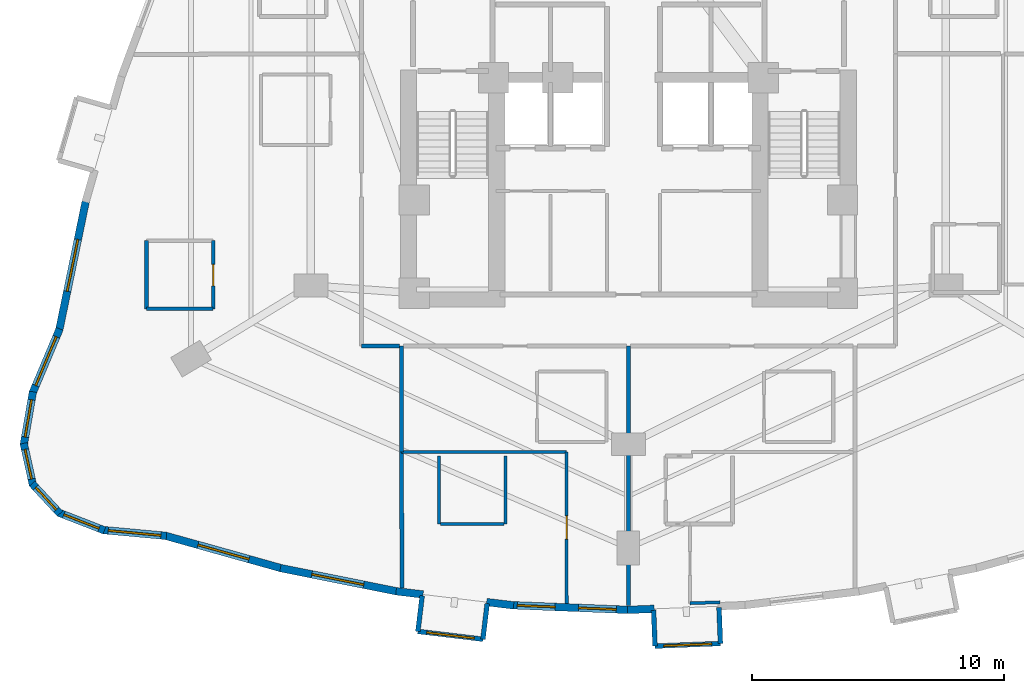
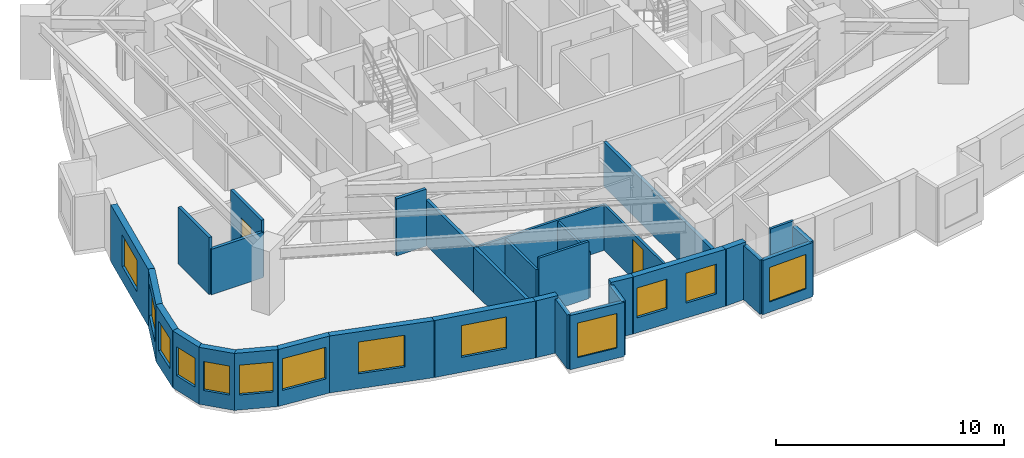
# One storey, part 6 of 13: 32 walls, 13 windows, 2 doors, 15 openings.
"""IFC4 building model written with IfcOpenShell, lengths in metres."""

from ifc_helpers import new_model, si_unit, direction, frame, frame_2d, origin, place, context, subcontext, project, spatial, rectangle, extrude, material, layer, layer_set, type_object, element, fill, save


model = new_model("IFC4")

# Units and contexts
model_context = context("Model", 3, precision=1e-05, world=origin(), true_north=direction((0.0, 1.0)))
body_context = subcontext(model_context, "Body", "Model", "MODEL_VIEW")
ifc_project = project(units=[si_unit("LENGTHUNIT", "METRE"), si_unit("AREAUNIT", "SQUARE_METRE"), si_unit("VOLUMEUNIT", "CUBIC_METRE"), si_unit("PLANEANGLEUNIT", "RADIAN"), si_unit("MASSUNIT", "GRAM", prefix="KILO")], contexts=[model_context])

# Site, building, storey
site_placement = place(None, origin())
site = spatial("IfcSite", under=ifc_project, at=site_placement, CompositionType="ELEMENT")
building_placement = place(site_placement, origin())
building = spatial("IfcBuilding", under=site, at=building_placement, Name="Miruveldt Soraemaru", CompositionType="ELEMENT")
storey_placement = place(building_placement, frame((0.0, 0.0, 87.0)))
storey = spatial("IfcBuildingStorey", under=building, at=storey_placement, Name="L24", CompositionType="ELEMENT", Elevation=87.0)

# Walls
ifc_material_1 = material(Name="White powder-coated aluminium EN AW-6060 T6", Category="aluminium")
ifc_layer_1 = layer(ifc_material_1, 0.18994140625, Name="White powder-coated aluminium EN AW-6060 T6", Category="aluminium")
ifc_layer_set_1 = layer_set([ifc_layer_1], Name="White powder-coated aluminium EN AW-6060 T6")
wall_type_1 = type_object("IfcWallType", Name="WALL-BAY-ALU190", PredefinedType="SOLIDWALL", material=ifc_layer_set_1)
wall_1_placement = place(storey_placement, frame((35.8154296875, 23.488525390625, 0.0), z_axis=(0.0, 0.0, 1.0), x_axis=(-0.119057405757, -0.992887372331, 0.0)))
element("IfcWall", 1, at=wall_1_placement, inside=storey, type_object=wall_type_1, Name="L24 Bay Window Side Cheek 2L", PredefinedType="SOLIDWALL", context=body_context, shape_type="SweptSolid", body=[
    extrude(rectangle(XDim=1.42529296875, YDim=0.18994140625, at=frame_2d((0.712646484375, 0.0))), origin(), (0.0, 0.0, 1.0), 2.89990234375),
])
wall_2_placement = place(storey_placement, frame((38.22705078125, 21.763916015625, 0.0), z_axis=(0.0, 0.0, 1.0), x_axis=(0.119077659317, 0.992884943511, 0.0)))
element("IfcWall", 2, at=wall_2_placement, inside=storey, type_object=wall_type_1, Name="L24 Bay Window Side Cheek 2R", PredefinedType="SOLIDWALL", context=body_context, shape_type="SweptSolid", body=[
    extrude(rectangle(XDim=1.425048828125, YDim=0.18994140625, at=frame_2d((0.71240234375, 0.0))), origin(), (0.0, 0.0, 1.0), 2.89990234375),
])

# Wall, opening, window
wall_3_placement = place(storey_placement, frame((35.645751953125, 22.073486328125, 0.0), z_axis=(0.0, 0.0, 1.0), x_axis=(0.992885278793, -0.119074863663, 0.0)))
wall_3 = element("IfcWall", 3, at=wall_3_placement, inside=storey, type_object=wall_type_1, Name="L24 Bay Window Front Frame 2", PredefinedType="SOLIDWALL", context=body_context, shape_type="SweptSolid", body=[
    extrude(rectangle(XDim=2.599853515625, YDim=0.18994140625, at=frame_2d((1.2998046875, 0.0))), origin(), (0.0, 0.0, 1.0), 2.89990234375),
])
opening_1_placement = place(wall_3_placement, frame((0.35009765625, 0.0, 0.550048828125)))
opening_1 = element("IfcOpeningElement", 4, at=opening_1_placement, cuts=wall_3, Name="Opening WN-6", PredefinedType="OPENING", context=body_context, shape_type="SweptSolid", body=[
    extrude(rectangle(XDim=1.89990234375, YDim=1.85009765625, at=frame_2d((0.949951171875, 0.925048828125))), frame((0.0, 0.10498046875, 0.0), z_axis=(0.0, -1.0, 0.0), x_axis=(1.0, 0.0, 0.0)), (0.0, 0.0, 1.0), 0.2099609375),
])
ifc_material_2 = material(Name="Triple low-e insulated glazing", Category="glass")
window_type_1 = type_object("IfcWindowType", Name="WIN-BAYW-1900x1850", PartitioningType="SINGLE_PANEL", PredefinedType="WINDOW", material=ifc_material_2)
window_1_placement = place(opening_1_placement, origin())
window_1 = element("IfcWindow", 5, at=window_1_placement, inside=storey, type_object=window_type_1, Name="L24 Projecting Bay Window 2", OverallHeight=1.85009765625, OverallWidth=1.89990234375, PartitioningType="SINGLE_PANEL", PredefinedType="WINDOW", context=body_context, shape_type="SweptSolid", body=[
    extrude(rectangle(XDim=1.89990234375, YDim=1.85009765625, at=frame_2d((0.949951171875, 0.925048828125))), frame((0.0, 0.030029296875, 0.0), z_axis=(0.0, -1.0, 0.0), x_axis=(1.0, 0.0, 0.0)), (0.0, 0.0, 1.0), 0.06005859375),
])
fill(opening_1, window_1)

# Walls
for number, where, z_axis, x_axis, name in (
    (6, (44.9990234375, 22.913818359375, 0.0), (0.0, 0.0, 1.0), (0.039920142234, -0.999202873417, 0.0), "L24 Bay Window Side Cheek 3L"),
    (7, (47.65380859375, 21.593994140625, 0.0), (0.0, 0.0, 1.0), (-0.039920142234, 0.999202873417, 0.0), "L24 Bay Window Side Cheek 3R"),
):
    element("IfcWall", number, at=place(storey_placement, frame(where, z_axis=z_axis, x_axis=x_axis)), inside=storey, type_object=wall_type_1, Name=name, PredefinedType="SOLIDWALL", context=body_context, shape_type="SweptSolid", body=[
        extrude(rectangle(XDim=1.425048828125, YDim=0.18994140625, at=frame_2d((0.71240234375, 0.0))), origin(), (0.0, 0.0, 1.0), 2.89990234375),
    ])

# Wall, opening, window
wall_4_placement = place(storey_placement, frame((45.055908203125, 21.489990234375, 0.0), z_axis=(0.0, 0.0, 1.0), x_axis=(0.999199608139, 0.040001788654, 0.0)))
wall_4 = element("IfcWall", 8, at=wall_4_placement, inside=storey, type_object=wall_type_1, Name="L24 Bay Window Front Frame 3", PredefinedType="SOLIDWALL", context=body_context, shape_type="SweptSolid", body=[
    extrude(rectangle(XDim=2.60009765625, YDim=0.18994140625, at=frame_2d((1.300048828125, 0.0))), origin(), (0.0, 0.0, 1.0), 2.89990234375),
])
opening_2_placement = place(wall_4_placement, frame((0.35009765625, 0.0, 0.550048828125)))
opening_2 = element("IfcOpeningElement", 9, at=opening_2_placement, cuts=wall_4, Name="Opening WN-6", PredefinedType="OPENING", context=body_context, shape_type="SweptSolid", body=[
    extrude(rectangle(XDim=1.89990234375, YDim=1.85009765625, at=frame_2d((0.949951171875, 0.925048828125))), frame((0.0, 0.10498046875, 0.0), z_axis=(0.0, -1.0, 0.0), x_axis=(1.0, 0.0, 0.0)), (0.0, 0.0, 1.0), 0.2099609375),
])
window_2_placement = place(opening_2_placement, origin())
window_2 = element("IfcWindow", 10, at=window_2_placement, inside=storey, type_object=window_type_1, Name="L24 Projecting Bay Window 3", OverallHeight=1.85009765625, OverallWidth=1.89990234375, PartitioningType="SINGLE_PANEL", PredefinedType="WINDOW", context=body_context, shape_type="SweptSolid", body=[
    extrude(rectangle(XDim=1.89990234375, YDim=1.85009765625, at=frame_2d((0.949951171875, 0.925048828125))), frame((0.0, 0.030029296875, 0.0), z_axis=(0.0, -1.0, 0.0), x_axis=(1.0, 0.0, 0.0)), (0.0, 0.0, 1.0), 0.06005859375),
])
fill(opening_2, window_2)

ifc_material_3 = material(Name="Precast concrete C45/55 (45 MPa)", Category="concrete")
ifc_layer_2 = layer(ifc_material_3, 0.300048828125, Name="Precast concrete C45/55 (45 MPa)", Category="concrete")
ifc_layer_set_2 = layer_set([ifc_layer_2], Name="Precast concrete C45/55 (45 MPa)")
wall_type_2 = type_object("IfcWallType", Name="WALL-EXT-PC300", PredefinedType="SOLIDWALL", material=ifc_layer_set_2)
wall_5_placement = place(storey_placement, frame((22.470703125, 39.1826171875, 0.0), z_axis=(0.0, 0.0, 1.0), x_axis=(-0.201579766052, -0.979472101654, 0.0)))
wall_5 = element("IfcWall", 11, at=wall_5_placement, inside=storey, type_object=wall_type_2, Name="L24 Precast Concrete Facade Wall 14", PredefinedType="SOLIDWALL", context=body_context, shape_type="SweptSolid", body=[
    extrude(rectangle(XDim=5.273193359375, YDim=0.300048828125, at=frame_2d((2.63671875, 0.0))), origin(), (0.0, 0.0, 1.0), 3.050048828125),
])
opening_3_placement = place(wall_5_placement, frame((1.5859375, 0.0, 0.800048828125)))
opening_3 = element("IfcOpeningElement", 12, at=opening_3_placement, cuts=wall_5, Name="Opening WN-1", PredefinedType="OPENING", context=body_context, shape_type="SweptSolid", body=[
    extrude(rectangle(XDim=2.10009765625, YDim=1.699951171875, at=frame_2d((1.050048828125, 0.85009765625))), frame((0.0, 0.16015625, 0.0), z_axis=(0.0, -1.0, 0.0), x_axis=(1.0, 0.0, 0.0)), (0.0, 0.0, 1.0), 0.320068359375),
])
window_type_2 = type_object("IfcWindowType", Name="WIN-PUNCH-2100x1700", PartitioningType="SINGLE_PANEL", PredefinedType="WINDOW", material=ifc_material_2)
window_3_placement = place(opening_3_placement, origin())
window_3 = element("IfcWindow", 13, at=window_3_placement, inside=storey, type_object=window_type_2, Name="L24 Punched Triple-Glazed Window 14.1", OverallHeight=1.699951171875, OverallWidth=2.10009765625, PartitioningType="SINGLE_PANEL", PredefinedType="WINDOW", context=body_context, shape_type="SweptSolid", body=[
    extrude(rectangle(XDim=2.10009765625, YDim=1.699951171875, at=frame_2d((1.050048828125, 0.85009765625))), frame((0.0, 0.030029296875, 0.0), z_axis=(0.0, -1.0, 0.0), x_axis=(1.0, 0.0, 0.0)), (0.0, 0.0, 1.0), 0.06005859375),
])
fill(opening_3, window_3)

wall_6_placement = place(storey_placement, frame((21.428466796875, 34.084228515625, 0.0), z_axis=(0.0, 0.0, 1.0), x_axis=(-0.388652814746, -0.921384279001, 0.0)))
wall_6 = element("IfcWall", 14, at=wall_6_placement, inside=storey, type_object=wall_type_2, Name="L24 Precast Concrete Facade Wall 15", PredefinedType="SOLIDWALL", context=body_context, shape_type="SweptSolid", body=[
    extrude(rectangle(XDim=2.783935546875, YDim=0.300048828125, at=frame_2d((1.39208984375, 0.0))), origin(), (0.0, 0.0, 1.0), 3.050048828125),
])
opening_4_placement = place(wall_6_placement, frame((0.342041015625, 0.0, 0.800048828125)))
opening_4 = element("IfcOpeningElement", 15, at=opening_4_placement, cuts=wall_6, Name="Opening WN-1", PredefinedType="OPENING", context=body_context, shape_type="SweptSolid", body=[
    extrude(rectangle(XDim=2.10009765625, YDim=1.699951171875, at=frame_2d((1.050048828125, 0.85009765625))), frame((0.0, 0.16015625, 0.0), z_axis=(0.0, -1.0, 0.0), x_axis=(1.0, 0.0, 0.0)), (0.0, 0.0, 1.0), 0.320068359375),
])
window_4_placement = place(opening_4_placement, origin())
window_4 = element("IfcWindow", 16, at=window_4_placement, inside=storey, type_object=window_type_2, Name="L24 Punched Triple-Glazed Window 15.1", OverallHeight=1.699951171875, OverallWidth=2.10009765625, PartitioningType="SINGLE_PANEL", PredefinedType="WINDOW", context=body_context, shape_type="SweptSolid", body=[
    extrude(rectangle(XDim=2.10009765625, YDim=1.699951171875, at=frame_2d((1.050048828125, 0.85009765625))), frame((0.0, 0.030029296875, 0.0), z_axis=(0.0, -1.0, 0.0), x_axis=(1.0, 0.0, 0.0)), (0.0, 0.0, 1.0), 0.06005859375),
])
fill(opening_4, window_4)

wall_7_placement = place(storey_placement, frame((20.365966796875, 31.585693359375, 0.0), z_axis=(0.0, 0.0, 1.0), x_axis=(-0.169285891433, -0.985566987557, 0.0)))
wall_7 = element("IfcWall", 17, at=wall_7_placement, inside=storey, type_object=wall_type_2, Name="L24 Precast Concrete Facade Wall 16", PredefinedType="SOLIDWALL", context=body_context, shape_type="SweptSolid", body=[
    extrude(rectangle(XDim=2.14599609375, YDim=0.300048828125, at=frame_2d((1.072998046875, 0.0))), origin(), (0.0, 0.0, 1.0), 3.050048828125),
])
opening_5_placement = place(wall_7_placement, frame((0.322998046875, 0.0, 0.800048828125)))
opening_5 = element("IfcOpeningElement", 18, at=opening_5_placement, cuts=wall_7, Name="Opening WN-3", PredefinedType="OPENING", context=body_context, shape_type="SweptSolid", body=[
    extrude(rectangle(XDim=1.5, YDim=1.60009765625, at=frame_2d((0.75, 0.800048828125))), frame((0.0, 0.16015625, 0.0), z_axis=(0.0, -1.0, 0.0), x_axis=(1.0, 0.0, 0.0)), (0.0, 0.0, 1.0), 0.320068359375),
])
window_type_3 = type_object("IfcWindowType", Name="WIN-PUNCH-1500x1600", PartitioningType="SINGLE_PANEL", PredefinedType="WINDOW", material=ifc_material_2)
window_5_placement = place(opening_5_placement, origin())
window_5 = element("IfcWindow", 19, at=window_5_placement, inside=storey, type_object=window_type_3, Name="L24 Punched Triple-Glazed Window 16.1", OverallHeight=1.60009765625, OverallWidth=1.5, PartitioningType="SINGLE_PANEL", PredefinedType="WINDOW", context=body_context, shape_type="SweptSolid", body=[
    extrude(rectangle(XDim=1.5, YDim=1.60009765625, at=frame_2d((0.75, 0.800048828125))), frame((0.0, 0.030029296875, 0.0), z_axis=(0.0, -1.0, 0.0), x_axis=(1.0, 0.0, 0.0)), (0.0, 0.0, 1.0), 0.06005859375),
])
fill(opening_5, window_5)

wall_8_placement = place(storey_placement, frame((20.001220703125, 29.539306640625, 0.0), z_axis=(0.0, 0.0, 1.0), x_axis=(0.215576821928, -0.976486883602, 0.0)))
wall_8 = element("IfcWall", 20, at=wall_8_placement, inside=storey, type_object=wall_type_2, Name="L24 Precast Concrete Facade Wall 17", PredefinedType="SOLIDWALL", context=body_context, shape_type="SweptSolid", body=[
    extrude(rectangle(XDim=1.699951171875, YDim=0.300048828125, at=frame_2d((0.85009765625, 0.0))), origin(), (0.0, 0.0, 1.0), 3.050048828125),
])
opening_6_placement = place(wall_8_placement, frame((0.25, 0.0, 0.780029296875)))
opening_6 = element("IfcOpeningElement", 21, at=opening_6_placement, cuts=wall_8, Name="Opening WN-4", PredefinedType="OPENING", context=body_context, shape_type="SweptSolid", body=[
    extrude(rectangle(XDim=1.199951171875, YDim=1.550048828125, at=frame_2d((0.60009765625, 0.77490234375))), frame((0.0, 0.16015625, 0.0), z_axis=(0.0, -1.0, 0.0), x_axis=(1.0, 0.0, 0.0)), (0.0, 0.0, 1.0), 0.320068359375),
])
window_type_4 = type_object("IfcWindowType", Name="WIN-PUNCH-1200x1550", PartitioningType="SINGLE_PANEL", PredefinedType="WINDOW", material=ifc_material_2)
window_6_placement = place(opening_6_placement, origin())
window_6 = element("IfcWindow", 22, at=window_6_placement, inside=storey, type_object=window_type_4, Name="L24 Punched Triple-Glazed Window 17.1", OverallHeight=1.550048828125, OverallWidth=1.199951171875, PartitioningType="SINGLE_PANEL", PredefinedType="WINDOW", context=body_context, shape_type="SweptSolid", body=[
    extrude(rectangle(XDim=1.199951171875, YDim=1.550048828125, at=frame_2d((0.60009765625, 0.77490234375))), frame((0.0, 0.030029296875, 0.0), z_axis=(0.0, -1.0, 0.0), x_axis=(1.0, 0.0, 0.0)), (0.0, 0.0, 1.0), 0.06005859375),
])
fill(opening_6, window_6)

wall_9_placement = place(storey_placement, frame((20.336181640625, 27.939453125, 0.0), z_axis=(0.0, 0.0, 1.0), x_axis=(0.680179532138, -0.733045567519, 0.0)))
wall_9 = element("IfcWall", 23, at=wall_9_placement, inside=storey, type_object=wall_type_2, Name="L24 Precast Concrete Facade Wall 18", PredefinedType="SOLIDWALL", context=body_context, shape_type="SweptSolid", body=[
    extrude(rectangle(XDim=1.620849609375, YDim=0.300048828125, at=frame_2d((0.810546875, 0.0))), origin(), (0.0, 0.0, 1.0), 3.050048828125),
])
opening_7_placement = place(wall_9_placement, frame((0.2109375, 0.0, 0.780029296875)))
opening_7 = element("IfcOpeningElement", 24, at=opening_7_placement, cuts=wall_9, Name="Opening WN-4", PredefinedType="OPENING", context=body_context, shape_type="SweptSolid", body=[
    extrude(rectangle(XDim=1.199951171875, YDim=1.550048828125, at=frame_2d((0.60009765625, 0.77490234375))), frame((0.0, 0.16015625, 0.0), z_axis=(0.0, -1.0, 0.0), x_axis=(1.0, 0.0, 0.0)), (0.0, 0.0, 1.0), 0.320068359375),
])
window_7_placement = place(opening_7_placement, origin())
window_7 = element("IfcWindow", 25, at=window_7_placement, inside=storey, type_object=window_type_4, Name="L24 Punched Triple-Glazed Window 18.1", OverallHeight=1.550048828125, OverallWidth=1.199951171875, PartitioningType="SINGLE_PANEL", PredefinedType="WINDOW", context=body_context, shape_type="SweptSolid", body=[
    extrude(rectangle(XDim=1.199951171875, YDim=1.550048828125, at=frame_2d((0.60009765625, 0.77490234375))), frame((0.0, 0.030029296875, 0.0), z_axis=(0.0, -1.0, 0.0), x_axis=(1.0, 0.0, 0.0)), (0.0, 0.0, 1.0), 0.06005859375),
])
fill(opening_7, window_7)

wall_10_placement = place(storey_placement, frame((21.38232421875, 26.789794921875, 0.0), z_axis=(0.0, 0.0, 1.0), x_axis=(0.932250473757, -0.361813562736, 0.0)))
wall_10 = element("IfcWall", 26, at=wall_10_placement, inside=storey, type_object=wall_type_2, Name="L24 Precast Concrete Facade Wall 19", PredefinedType="SOLIDWALL", context=body_context, shape_type="SweptSolid", body=[
    extrude(rectangle(XDim=1.95556640625, YDim=0.300048828125, at=frame_2d((0.977783203125, 0.0))), origin(), (0.0, 0.0, 1.0), 3.050048828125),
])
opening_8_placement = place(wall_10_placement, frame((0.22802734375, 0.0, 0.800048828125)))
opening_8 = element("IfcOpeningElement", 27, at=opening_8_placement, cuts=wall_10, Name="Opening WN-3", PredefinedType="OPENING", context=body_context, shape_type="SweptSolid", body=[
    extrude(rectangle(XDim=1.5, YDim=1.60009765625, at=frame_2d((0.75, 0.800048828125))), frame((0.0, 0.16015625, 0.0), z_axis=(0.0, -1.0, 0.0), x_axis=(1.0, 0.0, 0.0)), (0.0, 0.0, 1.0), 0.320068359375),
])
window_8_placement = place(opening_8_placement, origin())
window_8 = element("IfcWindow", 28, at=window_8_placement, inside=storey, type_object=window_type_3, Name="L24 Punched Triple-Glazed Window 19.1", OverallHeight=1.60009765625, OverallWidth=1.5, PartitioningType="SINGLE_PANEL", PredefinedType="WINDOW", context=body_context, shape_type="SweptSolid", body=[
    extrude(rectangle(XDim=1.5, YDim=1.60009765625, at=frame_2d((0.75, 0.800048828125))), frame((0.0, 0.030029296875, 0.0), z_axis=(0.0, -1.0, 0.0), x_axis=(1.0, 0.0, 0.0)), (0.0, 0.0, 1.0), 0.06005859375),
])
fill(opening_8, window_8)

wall_11_placement = place(storey_placement, frame((23.137939453125, 26.09814453125, 0.0), z_axis=(0.0, 0.0, 1.0), x_axis=(0.995765461545, -0.091930112551, 0.0)))
wall_11 = element("IfcWall", 29, at=wall_11_placement, inside=storey, type_object=wall_type_2, Name="L24 Precast Concrete Facade Wall 20", PredefinedType="SOLIDWALL", context=body_context, shape_type="SweptSolid", body=[
    extrude(rectangle(XDim=2.54150390625, YDim=0.300048828125, at=frame_2d((1.270751953125, 0.0))), origin(), (0.0, 0.0, 1.0), 3.050048828125),
])
opening_9_placement = place(wall_11_placement, frame((0.220947265625, 0.0, 0.800048828125)))
opening_9 = element("IfcOpeningElement", 30, at=opening_9_placement, cuts=wall_11, Name="Opening WN-1", PredefinedType="OPENING", context=body_context, shape_type="SweptSolid", body=[
    extrude(rectangle(XDim=2.10009765625, YDim=1.699951171875, at=frame_2d((1.050048828125, 0.85009765625))), frame((0.0, 0.16015625, 0.0), z_axis=(0.0, -1.0, 0.0), x_axis=(1.0, 0.0, 0.0)), (0.0, 0.0, 1.0), 0.320068359375),
])
window_9_placement = place(opening_9_placement, origin())
window_9 = element("IfcWindow", 31, at=window_9_placement, inside=storey, type_object=window_type_2, Name="L24 Punched Triple-Glazed Window 20.1", OverallHeight=1.699951171875, OverallWidth=2.10009765625, PartitioningType="SINGLE_PANEL", PredefinedType="WINDOW", context=body_context, shape_type="SweptSolid", body=[
    extrude(rectangle(XDim=2.10009765625, YDim=1.699951171875, at=frame_2d((1.050048828125, 0.85009765625))), frame((0.0, 0.030029296875, 0.0), z_axis=(0.0, -1.0, 0.0), x_axis=(1.0, 0.0, 0.0)), (0.0, 0.0, 1.0), 0.06005859375),
])
fill(opening_9, window_9)

wall_12_placement = place(storey_placement, frame((25.60009765625, 25.876953125, 0.0), z_axis=(0.0, 0.0, 1.0), x_axis=(0.962967164168, -0.269618695077, 0.0)))
wall_12 = element("IfcWall", 32, at=wall_12_placement, inside=storey, type_object=wall_type_2, Name="L24 Precast Concrete Facade Wall 21", PredefinedType="SOLIDWALL", context=body_context, shape_type="SweptSolid", body=[
    extrude(rectangle(XDim=4.838134765625, YDim=0.300048828125, at=frame_2d((2.4189453125, 0.0))), origin(), (0.0, 0.0, 1.0), 3.050048828125),
])
opening_10_placement = place(wall_12_placement, frame((1.368896484375, 0.0, 0.800048828125)))
opening_10 = element("IfcOpeningElement", 33, at=opening_10_placement, cuts=wall_12, Name="Opening WN-1", PredefinedType="OPENING", context=body_context, shape_type="SweptSolid", body=[
    extrude(rectangle(XDim=2.10009765625, YDim=1.699951171875, at=frame_2d((1.050048828125, 0.85009765625))), frame((0.0, 0.16015625, 0.0), z_axis=(0.0, -1.0, 0.0), x_axis=(1.0, 0.0, 0.0)), (0.0, 0.0, 1.0), 0.320068359375),
])
window_10_placement = place(opening_10_placement, origin())
window_10 = element("IfcWindow", 34, at=window_10_placement, inside=storey, type_object=window_type_2, Name="L24 Punched Triple-Glazed Window 21.1", OverallHeight=1.699951171875, OverallWidth=2.10009765625, PartitioningType="SINGLE_PANEL", PredefinedType="WINDOW", context=body_context, shape_type="SweptSolid", body=[
    extrude(rectangle(XDim=2.10009765625, YDim=1.699951171875, at=frame_2d((1.050048828125, 0.85009765625))), frame((0.0, 0.030029296875, 0.0), z_axis=(0.0, -1.0, 0.0), x_axis=(1.0, 0.0, 0.0)), (0.0, 0.0, 1.0), 0.06005859375),
])
fill(opening_10, window_10)

wall_13_placement = place(storey_placement, frame((30.191162109375, 24.5888671875, 0.0), z_axis=(0.0, 0.0, 1.0), x_axis=(0.980576723848, -0.196135893318, 0.0)))
wall_13 = element("IfcWall", 35, at=wall_13_placement, inside=storey, type_object=wall_type_2, Name="L24 Precast Concrete Facade Wall 22", PredefinedType="SOLIDWALL", context=body_context, shape_type="SweptSolid", body=[
    extrude(rectangle(XDim=4.75244140625, YDim=0.300048828125, at=frame_2d((2.376220703125, 0.0))), origin(), (0.0, 0.0, 1.0), 3.050048828125),
])
opening_11_placement = place(wall_13_placement, frame((1.26904296875, 0.0, 0.800048828125)))
opening_11 = element("IfcOpeningElement", 36, at=opening_11_placement, cuts=wall_13, Name="Opening WN-1", PredefinedType="OPENING", context=body_context, shape_type="SweptSolid", body=[
    extrude(rectangle(XDim=2.10009765625, YDim=1.699951171875, at=frame_2d((1.050048828125, 0.85009765625))), frame((0.0, 0.16015625, 0.0), z_axis=(0.0, -1.0, 0.0), x_axis=(1.0, 0.0, 0.0)), (0.0, 0.0, 1.0), 0.320068359375),
])
window_11_placement = place(opening_11_placement, origin())
window_11 = element("IfcWindow", 37, at=window_11_placement, inside=storey, type_object=window_type_2, Name="L24 Punched Triple-Glazed Window 22.1", OverallHeight=1.699951171875, OverallWidth=2.10009765625, PartitioningType="SINGLE_PANEL", PredefinedType="WINDOW", context=body_context, shape_type="SweptSolid", body=[
    extrude(rectangle(XDim=2.10009765625, YDim=1.699951171875, at=frame_2d((1.050048828125, 0.85009765625))), frame((0.0, 0.030029296875, 0.0), z_axis=(0.0, -1.0, 0.0), x_axis=(1.0, 0.0, 0.0)), (0.0, 0.0, 1.0), 0.06005859375),
])
fill(opening_11, window_11)

# Walls
for number, where, z_axis, x_axis, name in (
    (38, (34.781982421875, 23.66796875, 0.0), (0.0, 0.0, 1.0), (0.992872549268, -0.119180958675, 0.0), "L24 Precast Pier Wall 23A"),
    (39, (38.37353515625, 23.23681640625, 0.0), (0.0, 0.0, 1.0), (0.992872549268, -0.119180958675, 0.0), "L24 Precast Pier Wall 23B"),
):
    element("IfcWall", number, at=place(storey_placement, frame(where, z_axis=z_axis, x_axis=x_axis)), inside=storey, type_object=wall_type_2, Name=name, PredefinedType="SOLIDWALL", context=body_context, shape_type="SweptSolid", body=[
        extrude(rectangle(XDim=1.077392578125, YDim=0.300048828125, at=frame_2d((0.53857421875, 0.0))), origin(), (0.0, 0.0, 1.0), 3.050048828125),
    ])

# Wall, openings, windows
wall_14_placement = place(storey_placement, frame((39.37353515625, 23.114013671875, 0.0), z_axis=(0.0, 0.0, 1.0), x_axis=(0.999200373418, -0.039982668271, 0.0)))
wall_14 = element("IfcWall", 40, at=wall_14_placement, inside=storey, type_object=wall_type_2, Name="L24 Precast Concrete Facade Wall 24", PredefinedType="SOLIDWALL", context=body_context, shape_type="SweptSolid", body=[
    extrude(rectangle(XDim=4.6650390625, YDim=0.300048828125, at=frame_2d((2.33251953125, 0.0))), origin(), (0.0, 0.0, 1.0), 3.050048828125),
])
opening_12_placement = place(wall_14_placement, frame((0.217041015625, 0.0, 0.800048828125)))
opening_12 = element("IfcOpeningElement", 41, at=opening_12_placement, cuts=wall_14, Name="Opening WN-3", PredefinedType="OPENING", context=body_context, shape_type="SweptSolid", body=[
    extrude(rectangle(XDim=1.5, YDim=1.60009765625, at=frame_2d((0.75, 0.800048828125))), frame((0.0, 0.16015625, 0.0), z_axis=(0.0, -1.0, 0.0), x_axis=(1.0, 0.0, 0.0)), (0.0, 0.0, 1.0), 0.320068359375),
])
opening_13_placement = place(wall_14_placement, frame((2.64892578125, 0.0, 0.800048828125)))
opening_13 = element("IfcOpeningElement", 42, at=opening_13_placement, cuts=wall_14, Name="Opening WN-3", PredefinedType="OPENING", context=body_context, shape_type="SweptSolid", body=[
    extrude(rectangle(XDim=1.5, YDim=1.60009765625, at=frame_2d((0.75, 0.800048828125))), frame((0.0, 0.16015625, 0.0), z_axis=(0.0, -1.0, 0.0), x_axis=(1.0, 0.0, 0.0)), (0.0, 0.0, 1.0), 0.320068359375),
])
window_12_placement = place(opening_12_placement, origin())
window_12 = element("IfcWindow", 43, at=window_12_placement, inside=storey, type_object=window_type_3, Name="L24 Punched Triple-Glazed Window 24.1", OverallHeight=1.60009765625, OverallWidth=1.5, PartitioningType="SINGLE_PANEL", PredefinedType="WINDOW", context=body_context, shape_type="SweptSolid", body=[
    extrude(rectangle(XDim=1.5, YDim=1.60009765625, at=frame_2d((0.75, 0.800048828125))), frame((0.0, 0.030029296875, 0.0), z_axis=(0.0, -1.0, 0.0), x_axis=(1.0, 0.0, 0.0)), (0.0, 0.0, 1.0), 0.06005859375),
])
fill(opening_12, window_12)
window_13_placement = place(opening_13_placement, origin())
window_13 = element("IfcWindow", 44, at=window_13_placement, inside=storey, type_object=window_type_3, Name="L24 Punched Triple-Glazed Window 24.2", OverallHeight=1.60009765625, OverallWidth=1.5, PartitioningType="SINGLE_PANEL", PredefinedType="WINDOW", context=body_context, shape_type="SweptSolid", body=[
    extrude(rectangle(XDim=1.5, YDim=1.60009765625, at=frame_2d((0.75, 0.800048828125))), frame((0.0, 0.030029296875, 0.0), z_axis=(0.0, -1.0, 0.0), x_axis=(1.0, 0.0, 0.0)), (0.0, 0.0, 1.0), 0.06005859375),
])
fill(opening_13, window_13)

# Wall
wall_15_placement = place(storey_placement, frame((43.965087890625, 22.927490234375, 0.0), z_axis=(0.0, 0.0, 1.0), x_axis=(0.999191387829, 0.040206597579, 0.0)))
element("IfcWall", 45, at=wall_15_placement, inside=storey, type_object=wall_type_2, Name="L24 Precast Pier Wall 25A", PredefinedType="SOLIDWALL", context=body_context, shape_type="SweptSolid", body=[
    extrude(rectangle(XDim=1.062744140625, YDim=0.300048828125, at=frame_2d((0.53125, 0.0))), origin(), (0.0, 0.0, 1.0), 3.050048828125),
])

# Wall, opening, door
ifc_material_4 = material(Name="Gypsum plasterboard lining", Category="gypsum")
ifc_layer_3 = layer(ifc_material_4, 0.1201171875, Name="Gypsum plasterboard lining", Category="gypsum")
ifc_layer_set_3 = layer_set([ifc_layer_3], Name="Gypsum plasterboard lining")
wall_type_3 = type_object("IfcWallType", Name="WALL-INT-P120", PredefinedType="PARTITIONING", material=ifc_layer_set_3)
wall_16_placement = place(storey_placement, frame((41.550048828125, 29.199951171875, 0.0), z_axis=(0.0, 0.0, 1.0), x_axis=(0.00048762642, -0.99999988111, 0.0)))
wall_16 = element("IfcWall", 46, at=wall_16_placement, inside=storey, type_object=wall_type_3, Name="L24 Partition Wall 77", PredefinedType="PARTITIONING", context=body_context, shape_type="SweptSolid", body=[
    extrude(rectangle(XDim=6.008056640625, YDim=0.1201171875, at=frame_2d((3.00390625, 0.0))), origin(), (0.0, 0.0, 1.0), 2.43798828125),
])
opening_14_placement = place(wall_16_placement, frame((2.5439453125, 0.0, 0.0)))
opening_14 = element("IfcOpeningElement", 47, at=opening_14_placement, cuts=wall_16, Name="Opening D3A", PredefinedType="OPENING", context=body_context, shape_type="SweptSolid", body=[
    extrude(rectangle(XDim=0.919921875, YDim=2.10009765625, at=frame_2d((0.4599609375, 1.050048828125))), frame((0.0, 0.070068359375, 0.0), z_axis=(0.0, -1.0, 0.0), x_axis=(1.0, 0.0, 0.0)), (0.0, 0.0, 1.0), 0.14013671875),
])
ifc_material_5 = material(Name="Anodised aluminium EN AW-6063 T6", Category="aluminium")
door_type_1 = type_object("IfcDoorType", Name="DOOR-INT-920", OperationType="NOTDEFINED", PredefinedType="DOOR", material=ifc_material_5)
door_1_placement = place(opening_14_placement, origin())
door_1 = element("IfcDoor", 48, at=door_1_placement, inside=storey, type_object=door_type_1, Name="L24 Unit 2410 BD1 Door", OperationType="SINGLE_SWING_LEFT", OverallHeight=2.10009765625, OverallWidth=0.919921875, PredefinedType="DOOR", context=body_context, shape_type="SweptSolid", body=[
    extrude(rectangle(XDim=0.919921875, YDim=2.10009765625, at=frame_2d((0.4599609375, 1.050048828125))), frame((0.0, 0.02490234375, 0.0), z_axis=(0.0, -1.0, 0.0), x_axis=(1.0, 0.0, 0.0)), (0.0, 0.0, 1.0), 0.050048828125),
])
fill(opening_14, door_1)

# Walls
wall_17_placement = place(storey_placement, frame((35.0, 29.199951171875, 0.0), z_axis=(0.0, 0.0, 1.0), x_axis=(1.0, 0.0, 0.0)))
element("IfcWall", 49, at=wall_17_placement, inside=storey, type_object=wall_type_3, Name="L24 Partition Wall 98", PredefinedType="PARTITIONING", context=body_context, shape_type="SweptSolid", body=[
    extrude(rectangle(XDim=6.550048828125, YDim=0.1201171875, at=frame_2d((3.27490234375, 0.0))), origin(), (0.0, 0.0, 1.0), 2.43798828125),
])
for number, where, z_axis, x_axis, name in (
    (50, (36.47998046875, 29.041015625, 0.0), (0.0, 0.0, 1.0), (0.0, -1.0, 0.0), "L24 Partition Wall 78"),
    (51, (39.1298828125, 26.341064453125, 0.0), (0.0, 0.0, 1.0), (0.0, 1.0, 0.0), "L24 Partition Wall 80"),
):
    element("IfcWall", number, at=place(storey_placement, frame(where, z_axis=z_axis, x_axis=x_axis)), inside=storey, type_object=wall_type_3, Name=name, PredefinedType="PARTITIONING", context=body_context, shape_type="SweptSolid", body=[
        extrude(rectangle(XDim=2.699951171875, YDim=0.1201171875, at=frame_2d((1.35009765625, 0.0))), origin(), (0.0, 0.0, 1.0), 2.43798828125),
    ])
wall_18_placement = place(storey_placement, frame((36.5400390625, 26.341064453125, 0.0), z_axis=(0.0, 0.0, 1.0), x_axis=(1.0, 0.0, 0.0)))
element("IfcWall", 52, at=wall_18_placement, inside=storey, type_object=wall_type_3, Name="L24 Partition Wall 79", PredefinedType="PARTITIONING", context=body_context, shape_type="SweptSolid", body=[
    extrude(rectangle(XDim=2.530029296875, YDim=0.1201171875, at=frame_2d((1.26513671875, 0.0))), origin(), (0.0, 0.0, 1.0), 3.050048828125),
])
wall_19_placement = place(storey_placement, frame((46.447021484375, 23.19189453125, 0.0), z_axis=(0.0, 0.0, 1.0), x_axis=(0.999414725089, 0.034208292496, 0.0)))
element("IfcWall", 53, at=wall_19_placement, inside=storey, type_object=wall_type_3, Name="L24 Partition Closure Return 1", PredefinedType="PARTITIONING", context=body_context, shape_type="SweptSolid", body=[
    extrude(rectangle(XDim=1.19189453125, YDim=0.1201171875, at=frame_2d((0.595947265625, 0.0))), origin(), (0.0, 0.0, 1.0), 3.050048828125),
])

# Wall, opening, door
ifc_layer_4 = layer(ifc_material_4, 0.14990234375, Name="Gypsum plasterboard lining", Category="gypsum")
ifc_layer_set_4 = layer_set([ifc_layer_4], Name="Gypsum plasterboard lining")
wall_type_4 = type_object("IfcWallType", Name="WALL-INT-PLUMB", PredefinedType="PLUMBINGWALL", material=ifc_layer_set_4)
wall_20_placement = place(storey_placement, frame((27.52099609375, 34.8798828125, 0.0), z_axis=(0.0, 0.0, 1.0), x_axis=(0.0, 1.0, 0.0)))
wall_20 = element("IfcWall", 54, at=wall_20_placement, inside=storey, type_object=wall_type_4, Name="L24 Partition Wall 50", PredefinedType="PLUMBINGWALL", context=body_context, shape_type="SweptSolid", body=[
    extrude(rectangle(XDim=2.7001953125, YDim=0.14990234375, at=frame_2d((1.35009765625, 0.0))), origin(), (0.0, 0.0, 1.0), 3.050048828125),
])
opening_15_placement = place(wall_20_placement, frame((0.909912109375, 0.0, 0.0)))
opening_15 = element("IfcOpeningElement", 55, at=opening_15_placement, cuts=wall_20, Name="Opening FD3", PredefinedType="OPENING", context=body_context, shape_type="SweptSolid", body=[
    extrude(rectangle(XDim=0.85009765625, YDim=2.10009765625, at=frame_2d((0.425048828125, 1.050048828125))), frame((0.0, 0.0849609375, 0.0), z_axis=(0.0, -1.0, 0.0), x_axis=(1.0, 0.0, 0.0)), (0.0, 0.0, 1.0), 0.169921875),
])
door_type_2 = type_object("IfcDoorType", Name="DOOR-FD3-850", OperationType="NOTDEFINED", PredefinedType="DOOR", material=ifc_material_5)
door_2_placement = place(opening_15_placement, origin())
door_2 = element("IfcDoor", 56, at=door_2_placement, inside=storey, type_object=door_type_2, Name="L24 Unit CL06 BTH Door", OperationType="SINGLE_SWING_RIGHT", OverallHeight=2.10009765625, OverallWidth=0.85009765625, PredefinedType="DOOR", context=body_context, shape_type="SweptSolid", body=[
    extrude(rectangle(XDim=0.85009765625, YDim=2.10009765625, at=frame_2d((0.425048828125, 1.050048828125))), frame((0.0, 0.02490234375, 0.0), z_axis=(0.0, -1.0, 0.0), x_axis=(1.0, 0.0, 0.0)), (0.0, 0.0, 1.0), 0.050048828125),
])
fill(opening_15, door_2)

# Walls
wall_21_placement = place(storey_placement, frame((24.87109375, 37.580078125, 0.0), z_axis=(0.0, 0.0, 1.0), x_axis=(0.0, -1.0, 0.0)))
element("IfcWall", 57, at=wall_21_placement, inside=storey, type_object=wall_type_4, Name="L24 Partition Wall 52", PredefinedType="PLUMBINGWALL", context=body_context, shape_type="SweptSolid", body=[
    extrude(rectangle(XDim=2.7001953125, YDim=0.14990234375, at=frame_2d((1.35009765625, 0.0))), origin(), (0.0, 0.0, 1.0), 3.050048828125),
])
wall_22_placement = place(storey_placement, frame((24.87109375, 34.8798828125, 0.0), z_axis=(0.0, 0.0, 1.0), x_axis=(1.0, 0.0, 0.0)))
element("IfcWall", 58, at=wall_22_placement, inside=storey, type_object=wall_type_4, Name="L24 Partition Wall 53", PredefinedType="PLUMBINGWALL", context=body_context, shape_type="SweptSolid", body=[
    extrude(rectangle(XDim=2.64990234375, YDim=0.14990234375, at=frame_2d((1.324951171875, 0.0))), origin(), (0.0, 0.0, 1.0), 2.43798828125),
])
ifc_material_6 = material(Name="Concrete C40/50 (40 MPa)", Category="concrete")
ifc_layer_5 = layer(ifc_material_6, 0.159912109375, Name="Concrete C40/50 (40 MPa)", Category="concrete")
ifc_layer_set_5 = layer_set([ifc_layer_5], Name="Concrete C40/50 (40 MPa)")
wall_type_5 = type_object("IfcWallType", Name="WALL-INT-RC160", PredefinedType="SOLIDWALL", material=ifc_layer_set_5)
wall_23_placement = place(storey_placement, frame((44.0, 23.093994140625, 0.0), z_axis=(0.0, 0.0, 1.0), x_axis=(0.0, 1.0, 0.0)))
element("IfcWall", 59, at=wall_23_placement, inside=storey, type_object=wall_type_5, Name="L24 Partition Wall 81", PredefinedType="SOLIDWALL", context=body_context, shape_type="SweptSolid", body=[
    extrude(rectangle(XDim=10.305908203125, YDim=0.159912109375, at=frame_2d((5.15283203125, 0.0))), origin(), (0.0, 0.0, 1.0), 2.387939453125),
])
wall_24_placement = place(storey_placement, frame((35.010009765625, 23.806884765625, 0.0), z_axis=(0.0, 0.0, 1.0), x_axis=(-0.001856040262, 0.999998277556, 0.0)))
element("IfcWall", 60, at=wall_24_placement, inside=storey, type_object=wall_type_5, Name="L24 Partition Wall 59", PredefinedType="SOLIDWALL", context=body_context, shape_type="SweptSolid", body=[
    extrude(rectangle(XDim=5.39306640625, YDim=0.159912109375, at=frame_2d((2.696533203125, 0.0))), origin(), (0.0, 0.0, 1.0), 2.43798828125),
])
wall_25_placement = place(storey_placement, frame((35.0, 29.202880859375, 0.0), z_axis=(0.0, 0.0, 1.0), x_axis=(0.0, 1.0, 0.0)))
element("IfcWall", 61, at=wall_25_placement, inside=storey, type_object=wall_type_5, Name="L24 Partition Wall 58", PredefinedType="SOLIDWALL", context=body_context, shape_type="SweptSolid", body=[
    extrude(rectangle(XDim=4.194091796875, YDim=0.159912109375, at=frame_2d((2.09716796875, 0.0))), origin(), (0.0, 0.0, 1.0), 2.43798828125),
])
wall_26_placement = place(storey_placement, frame((33.39990234375, 33.39990234375, 0.0), z_axis=(0.0, 0.0, 1.0), x_axis=(1.0, 0.0, 0.0)))
element("IfcWall", 62, at=wall_26_placement, inside=storey, type_object=wall_type_5, Name="L24 Partition Wall 5", PredefinedType="SOLIDWALL", context=body_context, shape_type="SweptSolid", body=[
    extrude(rectangle(XDim=1.51416015625, YDim=0.159912109375, at=frame_2d((0.757080078125, 0.0))), origin(), (0.0, 0.0, 1.0), 3.050048828125),
])

save(model, "model.ifc")
